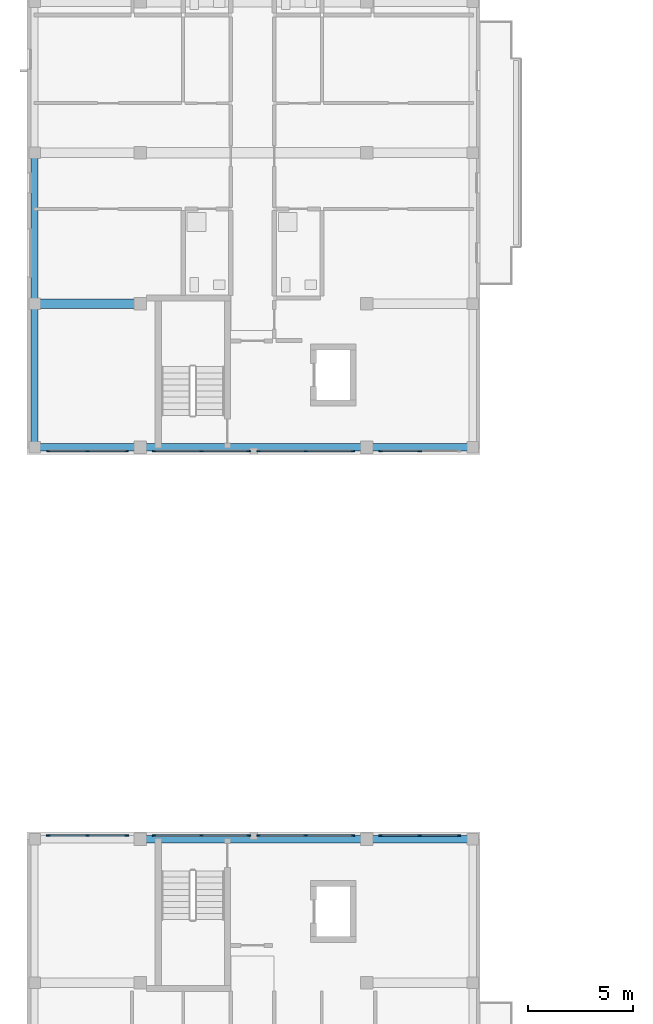
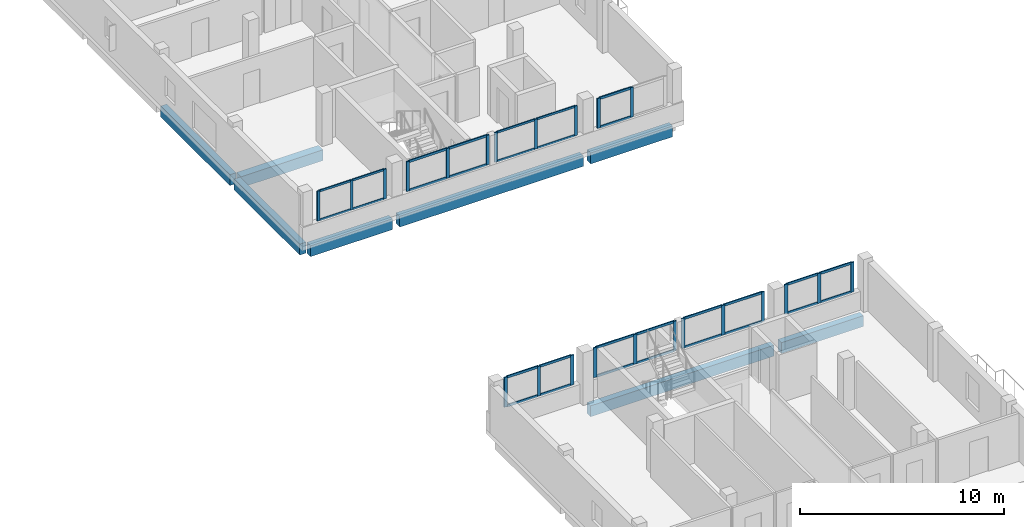
# One storey, part 4 of 41: 53 members, 8 beams, 8 elements without a shape of their own.
"""IFC4 building model written with IfcOpenShell, lengths in metres."""

from ifc_helpers import new_model, si_unit, derived_unit, direction, frame, origin, origin_2d, place, context, subcontext, project, spatial, rectangle, extrude, material, layer, layer_set, material_profile, profile_set, type_object, element, aggregate, save


model = new_model("IFC4")

# Units and contexts
model_context = context("Model", 3, precision=1e-05, world=origin(), true_north=direction((0.0, 1.0)))
body_context = subcontext(model_context, "Body", "Model", "MODEL_VIEW")
ifc_project = project(units=[si_unit("LENGTHUNIT", "METRE"), si_unit("AREAUNIT", "SQUARE_METRE"), si_unit("VOLUMEUNIT", "CUBIC_METRE"), si_unit("PLANEANGLEUNIT", "RADIAN"), si_unit("MASSUNIT", "GRAM", prefix="KILO"), derived_unit("THERMALTRANSMITTANCEUNIT", [(si_unit("MASSUNIT", "GRAM", prefix="KILO"), 1), (si_unit("TIMEUNIT", "SECOND"), -3), (si_unit("THERMODYNAMICTEMPERATUREUNIT", "KELVIN"), -1)])], contexts=[model_context])

# Site, building, storey
site_placement = place(None, origin())
site = spatial("IfcSite", under=ifc_project, at=site_placement, CompositionType="ELEMENT")
building_placement = place(site_placement, origin())
building = spatial("IfcBuilding", under=site, at=building_placement, Name="Ochrekiln Boulevard Commons", CompositionType="ELEMENT")
storey_placement = place(building_placement, frame((0.0, 0.0, 21.52490234375)))
storey = spatial("IfcBuildingStorey", under=building, at=storey_placement, Name="L06", CompositionType="ELEMENT", Elevation=21.52490234375)

# Beam
ifc_material_1 = material(Name="Concrete C35/45", Category="concrete")
ifc_material_profile_1 = material_profile(ifc_material_1, rectangle(XDim=0.449951171875, YDim=0.64990234375, at=origin_2d()), Name="RC-BM-450x650")
ifc_profile_set_1 = profile_set([ifc_material_profile_1], Name="Concrete C35/45")
beam_type_1 = type_object("IfcBeamType", Name="BM-RC-450x650", PredefinedType="BEAM", material=ifc_profile_set_1)
beam_1_placement = place(storey_placement, frame((0.56005859375, 75.60009765625, -0.5849609375), z_axis=(1.0, 0.0, 0.0), x_axis=(0.0, 1.0, 0.0)))
element("IfcBeam", 1, at=beam_1_placement, inside=storey, type_object=beam_type_1, Name="Block A L06 Beam B-4565 X4", PredefinedType="BEAM", context=body_context, shape_type="SweptSolid", body=[
    extrude(rectangle(XDim=0.449951171875, YDim=0.64990234375, at=origin_2d()), origin(), (0.0, 0.0, 1.0), 4.6298828125),
])

# Curtain wall, members
ifc_material_2 = material(Name="Bronze-anodized extruded aluminium 6063-T6", Category="aluminium")
ifc_layer = layer(ifc_material_2, 0.172119140625)
ifc_layer_set = layer_set([ifc_layer], Name="Bronze-anodized extruded aluminium 6063-T6")
curtain_wall_type = type_object("IfcCurtainWallType", Name="CW-GABLE-A", PredefinedType="USERDEFINED", material=ifc_layer_set)
curtain_wall_1_placement = place(storey_placement, origin())
curtain_wall_1 = element("IfcCurtainWall", 2, at=curtain_wall_1_placement, inside=storey, type_object=curtain_wall_type, Name="Block A L06 Courtyard Glazed Gable Curtain Wall 1", ObjectType="GLAZED CURTAIN WALL", PredefinedType="USERDEFINED")
ifc_material_profile_2 = material_profile(ifc_material_2, rectangle(XDim=0.06005859375, YDim=0.159912109375, at=origin_2d()), Name="ALU-MUL-60x160")
ifc_profile_set_2 = profile_set([ifc_material_profile_2], Name="Bronze-anodized extruded aluminium 6063-T6")
member_type_1 = type_object("IfcMemberType", Name="CWM-60x160", PredefinedType="MULLION", material=ifc_profile_set_2)
member_1_placement = place(storey_placement, frame((1.0, 68.56005859375, 1.110107421875), z_axis=(0.0, 0.0, 1.0), x_axis=(0.0, 1.0, 0.0)))
member_1 = element("IfcMember", 3, at=member_1_placement, type_object=member_type_1, Name="CW-01 mullion 1", PredefinedType="MULLION", context=body_context, shape_type="SweptSolid", body=[
    extrude(rectangle(XDim=0.06005859375, YDim=0.159912109375, at=origin_2d()), origin(), (0.0, 0.0, 1.0), 1.780029296875),
])
member_2_placement = place(storey_placement, frame((2.875, 68.56005859375, 1.110107421875), z_axis=(0.0, 0.0, 1.0), x_axis=(0.0, 1.0, 0.0)))
member_2 = element("IfcMember", 4, at=member_2_placement, type_object=member_type_1, Name="CW-01 mullion 2", PredefinedType="MULLION", context=body_context, shape_type="SweptSolid", body=[
    extrude(rectangle(XDim=0.06005859375, YDim=0.159912109375, at=origin_2d()), origin(), (0.0, 0.0, 1.0), 1.780029296875),
])
member_3_placement = place(storey_placement, frame((4.75, 68.56005859375, 1.110107421875), z_axis=(0.0, 0.0, 1.0), x_axis=(0.0, 1.0, 0.0)))
member_3 = element("IfcMember", 5, at=member_3_placement, type_object=member_type_1, Name="CW-01 mullion 3", PredefinedType="MULLION", context=body_context, shape_type="SweptSolid", body=[
    extrude(rectangle(XDim=0.06005859375, YDim=0.159912109375, at=origin_2d()), origin(), (0.0, 0.0, 1.0), 1.780029296875),
])

curtain_wall_2_placement = place(storey_placement, origin())
curtain_wall_2 = element("IfcCurtainWall", 6, at=curtain_wall_2_placement, inside=storey, type_object=curtain_wall_type, Name="Block A L06 Courtyard Glazed Gable Curtain Wall 3", ObjectType="GLAZED CURTAIN WALL", PredefinedType="USERDEFINED")
member_4_placement = place(storey_placement, frame((11.030029296875, 68.56005859375, 1.110107421875), z_axis=(0.0, 0.0, 1.0), x_axis=(0.0, 1.0, 0.0)))
member_4 = element("IfcMember", 7, at=member_4_placement, type_object=member_type_1, Name="CW-01 mullion 1", PredefinedType="MULLION", context=body_context, shape_type="SweptSolid", body=[
    extrude(rectangle(XDim=0.06005859375, YDim=0.159912109375, at=origin_2d()), origin(), (0.0, 0.0, 1.0), 1.780029296875),
])
member_5_placement = place(storey_placement, frame((13.2900390625, 68.56005859375, 1.110107421875), z_axis=(0.0, 0.0, 1.0), x_axis=(0.0, 1.0, 0.0)))
member_5 = element("IfcMember", 8, at=member_5_placement, type_object=member_type_1, Name="CW-01 mullion 2", PredefinedType="MULLION", context=body_context, shape_type="SweptSolid", body=[
    extrude(rectangle(XDim=0.06005859375, YDim=0.159912109375, at=origin_2d()), origin(), (0.0, 0.0, 1.0), 1.780029296875),
])
member_6_placement = place(storey_placement, frame((15.550048828125, 68.56005859375, 1.110107421875), z_axis=(0.0, 0.0, 1.0), x_axis=(0.0, 1.0, 0.0)))
member_6 = element("IfcMember", 9, at=member_6_placement, type_object=member_type_1, Name="CW-01 mullion 3", PredefinedType="MULLION", context=body_context, shape_type="SweptSolid", body=[
    extrude(rectangle(XDim=0.06005859375, YDim=0.159912109375, at=origin_2d()), origin(), (0.0, 0.0, 1.0), 1.780029296875),
])

curtain_wall_3_placement = place(storey_placement, origin())
curtain_wall_3 = element("IfcCurtainWall", 10, at=curtain_wall_3_placement, inside=storey, type_object=curtain_wall_type, Name="Block A L06 Courtyard Glazed Gable Curtain Wall 2", ObjectType="GLAZED CURTAIN WALL", PredefinedType="USERDEFINED")
ifc_material_profile_3 = material_profile(ifc_material_2, rectangle(XDim=0.06494140625, YDim=0.179931640625, at=origin_2d()), Name="ALU-MUL-65x180")
ifc_profile_set_3 = profile_set([ifc_material_profile_3], Name="Bronze-anodized extruded aluminium 6063-T6")
member_type_2 = type_object("IfcMemberType", Name="CWM-65x180", PredefinedType="MULLION", material=ifc_profile_set_3)
member_7_placement = place(storey_placement, frame((6.052490234375, 68.56005859375, 1.110107421875), z_axis=(0.0, 0.0, 1.0), x_axis=(0.0, 1.0, 0.0)))
member_7 = element("IfcMember", 11, at=member_7_placement, type_object=member_type_2, Name="CW-01 mullion 1", PredefinedType="MULLION", context=body_context, shape_type="SweptSolid", body=[
    extrude(rectangle(XDim=0.06494140625, YDim=0.179931640625, at=origin_2d()), origin(), (0.0, 0.0, 1.0), 1.780029296875),
])
member_8_placement = place(storey_placement, frame((8.31005859375, 68.56005859375, 1.110107421875), z_axis=(0.0, 0.0, 1.0), x_axis=(0.0, 1.0, 0.0)))
member_8 = element("IfcMember", 12, at=member_8_placement, type_object=member_type_2, Name="CW-01 mullion 2", PredefinedType="MULLION", context=body_context, shape_type="SweptSolid", body=[
    extrude(rectangle(XDim=0.06494140625, YDim=0.179931640625, at=origin_2d()), origin(), (0.0, 0.0, 1.0), 1.780029296875),
])
member_9_placement = place(storey_placement, frame((10.5673828125, 68.56005859375, 1.110107421875), z_axis=(0.0, 0.0, 1.0), x_axis=(0.0, 1.0, 0.0)))
member_9 = element("IfcMember", 13, at=member_9_placement, type_object=member_type_2, Name="CW-01 mullion 3", PredefinedType="MULLION", context=body_context, shape_type="SweptSolid", body=[
    extrude(rectangle(XDim=0.06494140625, YDim=0.179931640625, at=origin_2d()), origin(), (0.0, 0.0, 1.0), 1.780029296875),
])

curtain_wall_4_placement = place(storey_placement, origin())
curtain_wall_4 = element("IfcCurtainWall", 14, at=curtain_wall_4_placement, inside=storey, type_object=curtain_wall_type, Name="Block A L06 Courtyard Glazed Gable Curtain Wall 4", ObjectType="GLAZED CURTAIN WALL", PredefinedType="USERDEFINED")
member_10_placement = place(storey_placement, frame((16.8525390625, 68.56005859375, 1.110107421875), z_axis=(0.0, 0.0, 1.0), x_axis=(0.0, 1.0, 0.0)))
member_10 = element("IfcMember", 15, at=member_10_placement, type_object=member_type_2, Name="CW-01 mullion 1", PredefinedType="MULLION", context=body_context, shape_type="SweptSolid", body=[
    extrude(rectangle(XDim=0.06494140625, YDim=0.179931640625, at=origin_2d()), origin(), (0.0, 0.0, 1.0), 1.780029296875),
])
member_11_placement = place(storey_placement, frame((18.72509765625, 68.56005859375, 1.110107421875), z_axis=(0.0, 0.0, 1.0), x_axis=(0.0, 1.0, 0.0)))
member_11 = element("IfcMember", 16, at=member_11_placement, type_object=member_type_2, Name="CW-01 mullion 2", PredefinedType="MULLION", context=body_context, shape_type="SweptSolid", body=[
    extrude(rectangle(XDim=0.06494140625, YDim=0.179931640625, at=origin_2d()), origin(), (0.0, 0.0, 1.0), 1.780029296875),
])

curtain_wall_5_placement = place(storey_placement, origin())
curtain_wall_5 = element("IfcCurtainWall", 17, at=curtain_wall_5_placement, inside=storey, type_object=curtain_wall_type, Name="Block D L06 Courtyard Glazed Gable Curtain Wall 1", ObjectType="GLAZED CURTAIN WALL", PredefinedType="USERDEFINED")
member_12_placement = place(storey_placement, frame((1.00244140625, 50.217529296875, 1.110107421875), z_axis=(0.0, 0.0, 1.0), x_axis=(0.0, 1.0, 0.0)))
member_12 = element("IfcMember", 18, at=member_12_placement, type_object=member_type_2, Name="CW-01 mullion 1", PredefinedType="MULLION", context=body_context, shape_type="SweptSolid", body=[
    extrude(rectangle(XDim=0.06494140625, YDim=0.179931640625, at=origin_2d()), origin(), (0.0, 0.0, 1.0), 1.780029296875),
])
member_13_placement = place(storey_placement, frame((2.875, 50.217529296875, 1.110107421875), z_axis=(0.0, 0.0, 1.0), x_axis=(0.0, 1.0, 0.0)))
member_13 = element("IfcMember", 19, at=member_13_placement, type_object=member_type_2, Name="CW-01 mullion 2", PredefinedType="MULLION", context=body_context, shape_type="SweptSolid", body=[
    extrude(rectangle(XDim=0.06494140625, YDim=0.179931640625, at=origin_2d()), origin(), (0.0, 0.0, 1.0), 1.780029296875),
])
member_14_placement = place(storey_placement, frame((4.74755859375, 50.217529296875, 1.110107421875), z_axis=(0.0, 0.0, 1.0), x_axis=(0.0, 1.0, 0.0)))
member_14 = element("IfcMember", 20, at=member_14_placement, type_object=member_type_2, Name="CW-01 mullion 3", PredefinedType="MULLION", context=body_context, shape_type="SweptSolid", body=[
    extrude(rectangle(XDim=0.06494140625, YDim=0.179931640625, at=origin_2d()), origin(), (0.0, 0.0, 1.0), 1.780029296875),
])

curtain_wall_6_placement = place(storey_placement, origin())
curtain_wall_6 = element("IfcCurtainWall", 21, at=curtain_wall_6_placement, inside=storey, type_object=curtain_wall_type, Name="Block D L06 Courtyard Glazed Gable Curtain Wall 2", ObjectType="GLAZED CURTAIN WALL", PredefinedType="USERDEFINED")
member_15_placement = place(storey_placement, frame((6.052490234375, 50.217529296875, 1.110107421875), z_axis=(0.0, 0.0, 1.0), x_axis=(0.0, 1.0, 0.0)))
member_15 = element("IfcMember", 22, at=member_15_placement, type_object=member_type_2, Name="CW-01 mullion 1", PredefinedType="MULLION", context=body_context, shape_type="SweptSolid", body=[
    extrude(rectangle(XDim=0.06494140625, YDim=0.179931640625, at=origin_2d()), origin(), (0.0, 0.0, 1.0), 1.780029296875),
])
member_16_placement = place(storey_placement, frame((8.31005859375, 50.217529296875, 1.110107421875), z_axis=(0.0, 0.0, 1.0), x_axis=(0.0, 1.0, 0.0)))
member_16 = element("IfcMember", 23, at=member_16_placement, type_object=member_type_2, Name="CW-01 mullion 2", PredefinedType="MULLION", context=body_context, shape_type="SweptSolid", body=[
    extrude(rectangle(XDim=0.06494140625, YDim=0.179931640625, at=origin_2d()), origin(), (0.0, 0.0, 1.0), 1.780029296875),
])
member_17_placement = place(storey_placement, frame((10.5673828125, 50.217529296875, 1.110107421875), z_axis=(0.0, 0.0, 1.0), x_axis=(0.0, 1.0, 0.0)))
member_17 = element("IfcMember", 24, at=member_17_placement, type_object=member_type_2, Name="CW-01 mullion 3", PredefinedType="MULLION", context=body_context, shape_type="SweptSolid", body=[
    extrude(rectangle(XDim=0.06494140625, YDim=0.179931640625, at=origin_2d()), origin(), (0.0, 0.0, 1.0), 1.780029296875),
])

curtain_wall_7_placement = place(storey_placement, origin())
curtain_wall_7 = element("IfcCurtainWall", 25, at=curtain_wall_7_placement, inside=storey, type_object=curtain_wall_type, Name="Block D L06 Courtyard Glazed Gable Curtain Wall 3", ObjectType="GLAZED CURTAIN WALL", PredefinedType="USERDEFINED")
member_18_placement = place(storey_placement, frame((11.032470703125, 50.217529296875, 1.110107421875), z_axis=(0.0, 0.0, 1.0), x_axis=(0.0, 1.0, 0.0)))
member_18 = element("IfcMember", 26, at=member_18_placement, type_object=member_type_2, Name="CW-01 mullion 1", PredefinedType="MULLION", context=body_context, shape_type="SweptSolid", body=[
    extrude(rectangle(XDim=0.06494140625, YDim=0.179931640625, at=origin_2d()), origin(), (0.0, 0.0, 1.0), 1.780029296875),
])
member_19_placement = place(storey_placement, frame((13.2900390625, 50.217529296875, 1.110107421875), z_axis=(0.0, 0.0, 1.0), x_axis=(0.0, 1.0, 0.0)))
member_19 = element("IfcMember", 27, at=member_19_placement, type_object=member_type_2, Name="CW-01 mullion 2", PredefinedType="MULLION", context=body_context, shape_type="SweptSolid", body=[
    extrude(rectangle(XDim=0.06494140625, YDim=0.179931640625, at=origin_2d()), origin(), (0.0, 0.0, 1.0), 1.780029296875),
])
member_20_placement = place(storey_placement, frame((15.547607421875, 50.217529296875, 1.110107421875), z_axis=(0.0, 0.0, 1.0), x_axis=(0.0, 1.0, 0.0)))
member_20 = element("IfcMember", 28, at=member_20_placement, type_object=member_type_2, Name="CW-01 mullion 3", PredefinedType="MULLION", context=body_context, shape_type="SweptSolid", body=[
    extrude(rectangle(XDim=0.06494140625, YDim=0.179931640625, at=origin_2d()), origin(), (0.0, 0.0, 1.0), 1.780029296875),
])

curtain_wall_8_placement = place(storey_placement, origin())
curtain_wall_8 = element("IfcCurtainWall", 29, at=curtain_wall_8_placement, inside=storey, type_object=curtain_wall_type, Name="Block D L06 Courtyard Glazed Gable Curtain Wall 4", ObjectType="GLAZED CURTAIN WALL", PredefinedType="USERDEFINED")
member_21_placement = place(storey_placement, frame((16.8525390625, 50.217529296875, 1.110107421875), z_axis=(0.0, 0.0, 1.0), x_axis=(0.0, 1.0, 0.0)))
member_21 = element("IfcMember", 30, at=member_21_placement, type_object=member_type_2, Name="CW-01 mullion 1", PredefinedType="MULLION", context=body_context, shape_type="SweptSolid", body=[
    extrude(rectangle(XDim=0.06494140625, YDim=0.179931640625, at=origin_2d()), origin(), (0.0, 0.0, 1.0), 1.780029296875),
])
member_22_placement = place(storey_placement, frame((18.72509765625, 50.217529296875, 1.110107421875), z_axis=(0.0, 0.0, 1.0), x_axis=(0.0, 1.0, 0.0)))
member_22 = element("IfcMember", 31, at=member_22_placement, type_object=member_type_2, Name="CW-01 mullion 2", PredefinedType="MULLION", context=body_context, shape_type="SweptSolid", body=[
    extrude(rectangle(XDim=0.06494140625, YDim=0.179931640625, at=origin_2d()), origin(), (0.0, 0.0, 1.0), 1.780029296875),
])
member_23_placement = place(storey_placement, frame((20.597412109375, 50.217529296875, 1.110107421875), z_axis=(0.0, 0.0, 1.0), x_axis=(0.0, 1.0, 0.0)))
member_23 = element("IfcMember", 32, at=member_23_placement, type_object=member_type_2, Name="CW-01 mullion 3", PredefinedType="MULLION", context=body_context, shape_type="SweptSolid", body=[
    extrude(rectangle(XDim=0.06494140625, YDim=0.179931640625, at=origin_2d()), origin(), (0.0, 0.0, 1.0), 1.780029296875),
])

# Member
ifc_material_profile_4 = material_profile(ifc_material_2, rectangle(XDim=0.06005859375, YDim=0.1201171875, at=origin_2d()), Name="ALU-TRN-60x120")
ifc_profile_set_4 = profile_set([ifc_material_profile_4], Name="Bronze-anodized extruded aluminium 6063-T6")
member_type_3 = type_object("IfcMemberType", Name="CWT-60x120", PredefinedType="USERDEFINED", material=ifc_profile_set_4)
member_24_placement = place(storey_placement, frame((1.030029296875, 68.56005859375, 1.14013671875), z_axis=(1.0, 0.0, 0.0), x_axis=(0.0, 1.0, 0.0)))
member_24 = element("IfcMember", 33, at=member_24_placement, type_object=member_type_3, Name="CW-01 transom 1.1", ObjectType="TRANSOM", PredefinedType="USERDEFINED", context=body_context, shape_type="SweptSolid", body=[
    extrude(rectangle(XDim=0.06005859375, YDim=0.1201171875, at=origin_2d()), origin(), (0.0, 0.0, 1.0), 1.81494140625),
])

member_25_placement = place(storey_placement, frame((1.030029296875, 68.56005859375, 2.860107421875), z_axis=(1.0, 0.0, 0.0), x_axis=(0.0, 1.0, 0.0)))
member_25 = element("IfcMember", 34, at=member_25_placement, type_object=member_type_3, Name="CW-01 transom 1.2", ObjectType="TRANSOM", PredefinedType="USERDEFINED", context=body_context, shape_type="SweptSolid", body=[
    extrude(rectangle(XDim=0.06005859375, YDim=0.1201171875, at=origin_2d()), origin(), (0.0, 0.0, 1.0), 1.81494140625),
])

member_26_placement = place(storey_placement, frame((2.905029296875, 68.56005859375, 1.14013671875), z_axis=(1.0, 0.0, 0.0), x_axis=(0.0, 1.0, 0.0)))
member_26 = element("IfcMember", 35, at=member_26_placement, type_object=member_type_3, Name="CW-01 transom 2.1", ObjectType="TRANSOM", PredefinedType="USERDEFINED", context=body_context, shape_type="SweptSolid", body=[
    extrude(rectangle(XDim=0.06005859375, YDim=0.1201171875, at=origin_2d()), origin(), (0.0, 0.0, 1.0), 1.81494140625),
])

member_27_placement = place(storey_placement, frame((2.905029296875, 68.56005859375, 2.860107421875), z_axis=(1.0, 0.0, 0.0), x_axis=(0.0, 1.0, 0.0)))
member_27 = element("IfcMember", 36, at=member_27_placement, type_object=member_type_3, Name="CW-01 transom 2.2", ObjectType="TRANSOM", PredefinedType="USERDEFINED", context=body_context, shape_type="SweptSolid", body=[
    extrude(rectangle(XDim=0.06005859375, YDim=0.1201171875, at=origin_2d()), origin(), (0.0, 0.0, 1.0), 1.81494140625),
])

aggregate(curtain_wall_1, [member_1, member_2, member_3, member_24, member_25, member_26, member_27])

member_28_placement = place(storey_placement, frame((11.06005859375, 68.56005859375, 1.14013671875), z_axis=(1.0, 0.0, 0.0), x_axis=(0.0, 1.0, 0.0)))
member_28 = element("IfcMember", 37, at=member_28_placement, type_object=member_type_3, Name="CW-01 transom 1.1", ObjectType="TRANSOM", PredefinedType="USERDEFINED", context=body_context, shape_type="SweptSolid", body=[
    extrude(rectangle(XDim=0.06005859375, YDim=0.1201171875, at=origin_2d()), origin(), (0.0, 0.0, 1.0), 2.199951171875),
])

member_29_placement = place(storey_placement, frame((11.06005859375, 68.56005859375, 2.860107421875), z_axis=(1.0, 0.0, 0.0), x_axis=(0.0, 1.0, 0.0)))
member_29 = element("IfcMember", 38, at=member_29_placement, type_object=member_type_3, Name="CW-01 transom 1.2", ObjectType="TRANSOM", PredefinedType="USERDEFINED", context=body_context, shape_type="SweptSolid", body=[
    extrude(rectangle(XDim=0.06005859375, YDim=0.1201171875, at=origin_2d()), origin(), (0.0, 0.0, 1.0), 2.199951171875),
])

member_30_placement = place(storey_placement, frame((13.320068359375, 68.56005859375, 1.14013671875), z_axis=(1.0, 0.0, 0.0), x_axis=(0.0, 1.0, 0.0)))
member_30 = element("IfcMember", 39, at=member_30_placement, type_object=member_type_3, Name="CW-01 transom 2.1", ObjectType="TRANSOM", PredefinedType="USERDEFINED", context=body_context, shape_type="SweptSolid", body=[
    extrude(rectangle(XDim=0.06005859375, YDim=0.1201171875, at=origin_2d()), origin(), (0.0, 0.0, 1.0), 2.199951171875),
])

member_31_placement = place(storey_placement, frame((13.320068359375, 68.56005859375, 2.860107421875), z_axis=(1.0, 0.0, 0.0), x_axis=(0.0, 1.0, 0.0)))
member_31 = element("IfcMember", 40, at=member_31_placement, type_object=member_type_3, Name="CW-01 transom 2.2", ObjectType="TRANSOM", PredefinedType="USERDEFINED", context=body_context, shape_type="SweptSolid", body=[
    extrude(rectangle(XDim=0.06005859375, YDim=0.1201171875, at=origin_2d()), origin(), (0.0, 0.0, 1.0), 2.199951171875),
])

aggregate(curtain_wall_2, [member_4, member_5, member_6, member_28, member_29, member_30, member_31])

ifc_material_profile_5 = material_profile(ifc_material_2, rectangle(XDim=0.06494140625, YDim=0.139892578125, at=origin_2d()), Name="ALU-TRN-65x140")
ifc_profile_set_5 = profile_set([ifc_material_profile_5], Name="Bronze-anodized extruded aluminium 6063-T6")
member_type_4 = type_object("IfcMemberType", Name="CWT-65x140", PredefinedType="USERDEFINED", material=ifc_profile_set_5)
member_32_placement = place(storey_placement, frame((6.0849609375, 68.56005859375, 1.142578125), z_axis=(1.0, 0.0, 0.0), x_axis=(0.0, 1.0, 0.0)))
member_32 = element("IfcMember", 41, at=member_32_placement, type_object=member_type_4, Name="CW-01 transom 1.1", ObjectType="TRANSOM", PredefinedType="USERDEFINED", context=body_context, shape_type="SweptSolid", body=[
    extrude(rectangle(XDim=0.06494140625, YDim=0.139892578125, at=origin_2d()), origin(), (0.0, 0.0, 1.0), 2.192626953125),
])

member_33_placement = place(storey_placement, frame((6.0849609375, 68.56005859375, 2.857666015625), z_axis=(1.0, 0.0, 0.0), x_axis=(0.0, 1.0, 0.0)))
member_33 = element("IfcMember", 42, at=member_33_placement, type_object=member_type_4, Name="CW-01 transom 1.2", ObjectType="TRANSOM", PredefinedType="USERDEFINED", context=body_context, shape_type="SweptSolid", body=[
    extrude(rectangle(XDim=0.06494140625, YDim=0.139892578125, at=origin_2d()), origin(), (0.0, 0.0, 1.0), 2.192626953125),
])

member_34_placement = place(storey_placement, frame((8.342529296875, 68.56005859375, 1.142578125), z_axis=(1.0, 0.0, 0.0), x_axis=(0.0, 1.0, 0.0)))
member_34 = element("IfcMember", 43, at=member_34_placement, type_object=member_type_4, Name="CW-01 transom 2.1", ObjectType="TRANSOM", PredefinedType="USERDEFINED", context=body_context, shape_type="SweptSolid", body=[
    extrude(rectangle(XDim=0.06494140625, YDim=0.139892578125, at=origin_2d()), origin(), (0.0, 0.0, 1.0), 2.1923828125),
])

member_35_placement = place(storey_placement, frame((8.342529296875, 68.56005859375, 2.857666015625), z_axis=(1.0, 0.0, 0.0), x_axis=(0.0, 1.0, 0.0)))
member_35 = element("IfcMember", 44, at=member_35_placement, type_object=member_type_4, Name="CW-01 transom 2.2", ObjectType="TRANSOM", PredefinedType="USERDEFINED", context=body_context, shape_type="SweptSolid", body=[
    extrude(rectangle(XDim=0.06494140625, YDim=0.139892578125, at=origin_2d()), origin(), (0.0, 0.0, 1.0), 2.1923828125),
])

aggregate(curtain_wall_3, [member_7, member_8, member_9, member_32, member_33, member_34, member_35])

member_36_placement = place(storey_placement, frame((16.885009765625, 68.56005859375, 1.142578125), z_axis=(1.0, 0.0, 0.0), x_axis=(0.0, 1.0, 0.0)))
member_36 = element("IfcMember", 45, at=member_36_placement, type_object=member_type_4, Name="CW-01 transom 1.1", ObjectType="TRANSOM", PredefinedType="USERDEFINED", context=body_context, shape_type="SweptSolid", body=[
    extrude(rectangle(XDim=0.06494140625, YDim=0.139892578125, at=origin_2d()), origin(), (0.0, 0.0, 1.0), 1.807373046875),
])

member_37_placement = place(storey_placement, frame((16.885009765625, 68.56005859375, 2.857666015625), z_axis=(1.0, 0.0, 0.0), x_axis=(0.0, 1.0, 0.0)))
member_37 = element("IfcMember", 46, at=member_37_placement, type_object=member_type_4, Name="CW-01 transom 1.2", ObjectType="TRANSOM", PredefinedType="USERDEFINED", context=body_context, shape_type="SweptSolid", body=[
    extrude(rectangle(XDim=0.06494140625, YDim=0.139892578125, at=origin_2d()), origin(), (0.0, 0.0, 1.0), 1.807373046875),
])

aggregate(curtain_wall_4, [member_10, member_11, member_36, member_37])

member_38_placement = place(storey_placement, frame((1.034912109375, 50.217529296875, 1.142578125), z_axis=(1.0, 0.0, 0.0), x_axis=(0.0, 1.0, 0.0)))
member_38 = element("IfcMember", 47, at=member_38_placement, type_object=member_type_4, Name="CW-01 transom 1.1", ObjectType="TRANSOM", PredefinedType="USERDEFINED", context=body_context, shape_type="SweptSolid", body=[
    extrude(rectangle(XDim=0.06494140625, YDim=0.139892578125, at=origin_2d()), origin(), (0.0, 0.0, 1.0), 1.8076171875),
])

member_39_placement = place(storey_placement, frame((1.034912109375, 50.217529296875, 2.857666015625), z_axis=(1.0, 0.0, 0.0), x_axis=(0.0, 1.0, 0.0)))
member_39 = element("IfcMember", 48, at=member_39_placement, type_object=member_type_4, Name="CW-01 transom 1.2", ObjectType="TRANSOM", PredefinedType="USERDEFINED", context=body_context, shape_type="SweptSolid", body=[
    extrude(rectangle(XDim=0.06494140625, YDim=0.139892578125, at=origin_2d()), origin(), (0.0, 0.0, 1.0), 1.8076171875),
])

member_40_placement = place(storey_placement, frame((2.907470703125, 50.217529296875, 1.142578125), z_axis=(1.0, 0.0, 0.0), x_axis=(0.0, 1.0, 0.0)))
member_40 = element("IfcMember", 49, at=member_40_placement, type_object=member_type_4, Name="CW-01 transom 2.1", ObjectType="TRANSOM", PredefinedType="USERDEFINED", context=body_context, shape_type="SweptSolid", body=[
    extrude(rectangle(XDim=0.06494140625, YDim=0.139892578125, at=origin_2d()), origin(), (0.0, 0.0, 1.0), 1.8076171875),
])

member_41_placement = place(storey_placement, frame((2.907470703125, 50.217529296875, 2.857666015625), z_axis=(1.0, 0.0, 0.0), x_axis=(0.0, 1.0, 0.0)))
member_41 = element("IfcMember", 50, at=member_41_placement, type_object=member_type_4, Name="CW-01 transom 2.2", ObjectType="TRANSOM", PredefinedType="USERDEFINED", context=body_context, shape_type="SweptSolid", body=[
    extrude(rectangle(XDim=0.06494140625, YDim=0.139892578125, at=origin_2d()), origin(), (0.0, 0.0, 1.0), 1.8076171875),
])

aggregate(curtain_wall_5, [member_12, member_13, member_14, member_38, member_39, member_40, member_41])

member_42_placement = place(storey_placement, frame((6.0849609375, 50.217529296875, 1.142578125), z_axis=(1.0, 0.0, 0.0), x_axis=(0.0, 1.0, 0.0)))
member_42 = element("IfcMember", 51, at=member_42_placement, type_object=member_type_4, Name="CW-01 transom 1.1", ObjectType="TRANSOM", PredefinedType="USERDEFINED", context=body_context, shape_type="SweptSolid", body=[
    extrude(rectangle(XDim=0.06494140625, YDim=0.139892578125, at=origin_2d()), origin(), (0.0, 0.0, 1.0), 2.192626953125),
])

member_43_placement = place(storey_placement, frame((6.0849609375, 50.217529296875, 2.857666015625), z_axis=(1.0, 0.0, 0.0), x_axis=(0.0, 1.0, 0.0)))
member_43 = element("IfcMember", 52, at=member_43_placement, type_object=member_type_4, Name="CW-01 transom 1.2", ObjectType="TRANSOM", PredefinedType="USERDEFINED", context=body_context, shape_type="SweptSolid", body=[
    extrude(rectangle(XDim=0.06494140625, YDim=0.139892578125, at=origin_2d()), origin(), (0.0, 0.0, 1.0), 2.192626953125),
])

member_44_placement = place(storey_placement, frame((8.342529296875, 50.217529296875, 1.142578125), z_axis=(1.0, 0.0, 0.0), x_axis=(0.0, 1.0, 0.0)))
member_44 = element("IfcMember", 53, at=member_44_placement, type_object=member_type_4, Name="CW-01 transom 2.1", ObjectType="TRANSOM", PredefinedType="USERDEFINED", context=body_context, shape_type="SweptSolid", body=[
    extrude(rectangle(XDim=0.06494140625, YDim=0.139892578125, at=origin_2d()), origin(), (0.0, 0.0, 1.0), 2.1923828125),
])

member_45_placement = place(storey_placement, frame((8.342529296875, 50.217529296875, 2.857666015625), z_axis=(1.0, 0.0, 0.0), x_axis=(0.0, 1.0, 0.0)))
member_45 = element("IfcMember", 54, at=member_45_placement, type_object=member_type_4, Name="CW-01 transom 2.2", ObjectType="TRANSOM", PredefinedType="USERDEFINED", context=body_context, shape_type="SweptSolid", body=[
    extrude(rectangle(XDim=0.06494140625, YDim=0.139892578125, at=origin_2d()), origin(), (0.0, 0.0, 1.0), 2.1923828125),
])

aggregate(curtain_wall_6, [member_15, member_16, member_17, member_42, member_43, member_44, member_45])

member_46_placement = place(storey_placement, frame((11.06494140625, 50.217529296875, 1.142578125), z_axis=(1.0, 0.0, 0.0), x_axis=(0.0, 1.0, 0.0)))
member_46 = element("IfcMember", 55, at=member_46_placement, type_object=member_type_4, Name="CW-01 transom 1.1", ObjectType="TRANSOM", PredefinedType="USERDEFINED", context=body_context, shape_type="SweptSolid", body=[
    extrude(rectangle(XDim=0.06494140625, YDim=0.139892578125, at=origin_2d()), origin(), (0.0, 0.0, 1.0), 2.192626953125),
])

member_47_placement = place(storey_placement, frame((11.06494140625, 50.217529296875, 2.857666015625), z_axis=(1.0, 0.0, 0.0), x_axis=(0.0, 1.0, 0.0)))
member_47 = element("IfcMember", 56, at=member_47_placement, type_object=member_type_4, Name="CW-01 transom 1.2", ObjectType="TRANSOM", PredefinedType="USERDEFINED", context=body_context, shape_type="SweptSolid", body=[
    extrude(rectangle(XDim=0.06494140625, YDim=0.139892578125, at=origin_2d()), origin(), (0.0, 0.0, 1.0), 2.192626953125),
])

member_48_placement = place(storey_placement, frame((13.322509765625, 50.217529296875, 1.142578125), z_axis=(1.0, 0.0, 0.0), x_axis=(0.0, 1.0, 0.0)))
member_48 = element("IfcMember", 57, at=member_48_placement, type_object=member_type_4, Name="CW-01 transom 2.1", ObjectType="TRANSOM", PredefinedType="USERDEFINED", context=body_context, shape_type="SweptSolid", body=[
    extrude(rectangle(XDim=0.06494140625, YDim=0.139892578125, at=origin_2d()), origin(), (0.0, 0.0, 1.0), 2.1923828125),
])

member_49_placement = place(storey_placement, frame((13.322509765625, 50.217529296875, 2.857666015625), z_axis=(1.0, 0.0, 0.0), x_axis=(0.0, 1.0, 0.0)))
member_49 = element("IfcMember", 58, at=member_49_placement, type_object=member_type_4, Name="CW-01 transom 2.2", ObjectType="TRANSOM", PredefinedType="USERDEFINED", context=body_context, shape_type="SweptSolid", body=[
    extrude(rectangle(XDim=0.06494140625, YDim=0.139892578125, at=origin_2d()), origin(), (0.0, 0.0, 1.0), 2.1923828125),
])

aggregate(curtain_wall_7, [member_18, member_19, member_20, member_46, member_47, member_48, member_49])

member_50_placement = place(storey_placement, frame((16.885009765625, 50.217529296875, 1.142578125), z_axis=(1.0, 0.0, 0.0), x_axis=(0.0, 1.0, 0.0)))
member_50 = element("IfcMember", 59, at=member_50_placement, type_object=member_type_4, Name="CW-01 transom 1.1", ObjectType="TRANSOM", PredefinedType="USERDEFINED", context=body_context, shape_type="SweptSolid", body=[
    extrude(rectangle(XDim=0.06494140625, YDim=0.139892578125, at=origin_2d()), origin(), (0.0, 0.0, 1.0), 1.807373046875),
])

member_51_placement = place(storey_placement, frame((16.885009765625, 50.217529296875, 2.857666015625), z_axis=(1.0, 0.0, 0.0), x_axis=(0.0, 1.0, 0.0)))
member_51 = element("IfcMember", 60, at=member_51_placement, type_object=member_type_4, Name="CW-01 transom 1.2", ObjectType="TRANSOM", PredefinedType="USERDEFINED", context=body_context, shape_type="SweptSolid", body=[
    extrude(rectangle(XDim=0.06494140625, YDim=0.139892578125, at=origin_2d()), origin(), (0.0, 0.0, 1.0), 1.807373046875),
])

member_52_placement = place(storey_placement, frame((18.757568359375, 50.217529296875, 1.142578125), z_axis=(1.0, 0.0, 0.0), x_axis=(0.0, 1.0, 0.0)))
member_52 = element("IfcMember", 61, at=member_52_placement, type_object=member_type_4, Name="CW-01 transom 2.1", ObjectType="TRANSOM", PredefinedType="USERDEFINED", context=body_context, shape_type="SweptSolid", body=[
    extrude(rectangle(XDim=0.06494140625, YDim=0.139892578125, at=origin_2d()), origin(), (0.0, 0.0, 1.0), 1.807373046875),
])

member_53_placement = place(storey_placement, frame((18.757568359375, 50.217529296875, 2.857666015625), z_axis=(1.0, 0.0, 0.0), x_axis=(0.0, 1.0, 0.0)))
member_53 = element("IfcMember", 62, at=member_53_placement, type_object=member_type_4, Name="CW-01 transom 2.2", ObjectType="TRANSOM", PredefinedType="USERDEFINED", context=body_context, shape_type="SweptSolid", body=[
    extrude(rectangle(XDim=0.06494140625, YDim=0.139892578125, at=origin_2d()), origin(), (0.0, 0.0, 1.0), 1.807373046875),
])

aggregate(curtain_wall_8, [member_21, member_22, member_23, member_50, member_51, member_52, member_53])

# Beams
ifc_material_3 = material(Name="Concrete C40/50", Category="concrete")
ifc_material_profile_6 = material_profile(ifc_material_3, rectangle(XDim=0.35009765625, YDim=0.64990234375, at=origin_2d()), Name="RC-SPN-350x650")
ifc_profile_set_6 = profile_set([ifc_material_profile_6], Name="Concrete C40/50")
beam_type_2 = type_object("IfcBeamType", Name="SPN-RC-350x650", PredefinedType="SPANDREL", material=ifc_profile_set_6)
beam_2_placement = place(storey_placement, frame((0.56005859375, 68.75, -0.5849609375), z_axis=(1.0, 0.0, 0.0), x_axis=(0.0, 1.0, 0.0)))
element("IfcBeam", 63, at=beam_2_placement, inside=storey, type_object=beam_type_2, Name="Block A L06 Beam SP-3565 X1", PredefinedType="SPANDREL", context=body_context, shape_type="SweptSolid", body=[
    extrude(rectangle(XDim=0.35009765625, YDim=0.64990234375, at=origin_2d()), origin(), (0.0, 0.0, 1.0), 4.6298828125),
])
beam_3_placement = place(storey_placement, frame((5.610107421875, 68.75, -0.5849609375), z_axis=(1.0, 0.0, 0.0), x_axis=(0.0, 1.0, 0.0)))
element("IfcBeam", 64, at=beam_3_placement, inside=storey, type_object=beam_type_2, Name="Block A L06 Beam SP-3565 X2", PredefinedType="SPANDREL", context=body_context, shape_type="SweptSolid", body=[
    extrude(rectangle(XDim=0.35009765625, YDim=0.64990234375, at=origin_2d()), origin(), (0.0, 0.0, 1.0), 10.3798828125),
])
beam_4_placement = place(storey_placement, frame((16.409912109375, 68.75, -0.5849609375), z_axis=(1.0, 0.0, 0.0), x_axis=(0.0, 1.0, 0.0)))
element("IfcBeam", 65, at=beam_4_placement, inside=storey, type_object=beam_type_2, Name="Block A L06 Beam SP-3565 X3", PredefinedType="SPANDREL", context=body_context, shape_type="SweptSolid", body=[
    extrude(rectangle(XDim=0.35009765625, YDim=0.64990234375, at=origin_2d()), origin(), (0.0, 0.0, 1.0), 4.630126953125),
])
beam_5_placement = place(storey_placement, frame((0.35009765625, 68.9599609375, -0.5849609375), z_axis=(0.0, 1.0, 0.0), x_axis=(-1.0, 0.0, 0.0)))
element("IfcBeam", 66, at=beam_5_placement, inside=storey, type_object=beam_type_2, Name="Block A L06 Beam SP-3565 Y23", PredefinedType="SPANDREL", context=body_context, shape_type="SweptSolid", body=[
    extrude(rectangle(XDim=0.35009765625, YDim=0.64990234375, at=origin_2d()), origin(), (0.0, 0.0, 1.0), 6.429931640625),
])
beam_6_placement = place(storey_placement, frame((0.35009765625, 75.81005859375, -0.5849609375), z_axis=(0.0, 1.0, 0.0), x_axis=(-1.0, 0.0, 0.0)))
element("IfcBeam", 67, at=beam_6_placement, inside=storey, type_object=beam_type_2, Name="Block A L06 Beam SP-3565 Y24", PredefinedType="SPANDREL", context=body_context, shape_type="SweptSolid", body=[
    extrude(rectangle(XDim=0.35009765625, YDim=0.64990234375, at=origin_2d()), origin(), (0.0, 0.0, 1.0), 6.780029296875),
])
beam_7_placement = place(storey_placement, frame((5.610107421875, 50.050048828125, -0.5849609375), z_axis=(1.0, 0.0, 0.0), x_axis=(0.0, 1.0, 0.0)))
element("IfcBeam", 68, at=beam_7_placement, inside=storey, type_object=beam_type_2, Name="Block D L06 Beam SP-3565 X21", PredefinedType="SPANDREL", context=body_context, shape_type="SweptSolid", body=[
    extrude(rectangle(XDim=0.35009765625, YDim=0.64990234375, at=origin_2d()), origin(), (0.0, 0.0, 1.0), 10.3798828125),
])
beam_8_placement = place(storey_placement, frame((16.409912109375, 50.050048828125, -0.5849609375), z_axis=(1.0, 0.0, 0.0), x_axis=(0.0, 1.0, 0.0)))
element("IfcBeam", 69, at=beam_8_placement, inside=storey, type_object=beam_type_2, Name="Block D L06 Beam SP-3565 X22", PredefinedType="SPANDREL", context=body_context, shape_type="SweptSolid", body=[
    extrude(rectangle(XDim=0.35009765625, YDim=0.64990234375, at=origin_2d()), origin(), (0.0, 0.0, 1.0), 4.630126953125),
])

save(model, "model.ifc")
